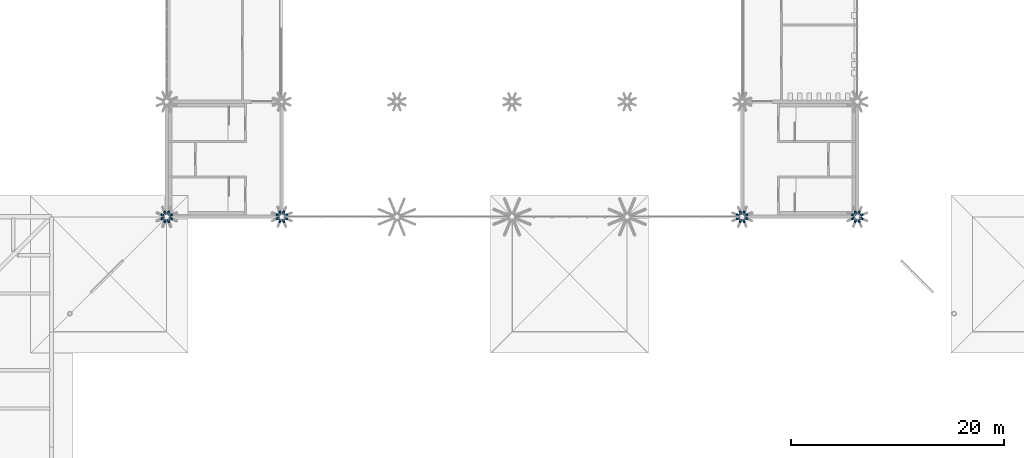
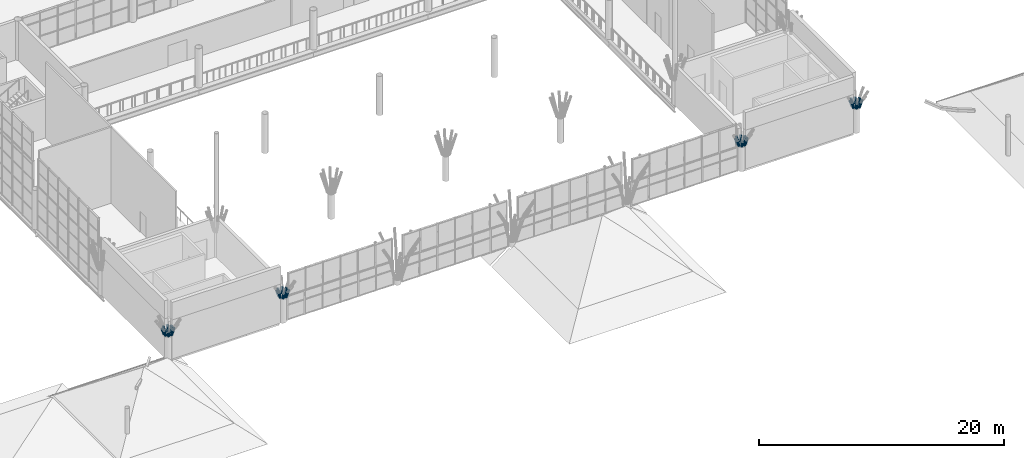
# One storey, part 43 of 95: 32 members.
"""IFC4 building model written with IfcOpenShell, lengths in metres."""

from ifc_helpers import new_model, si_unit, direction, frame, origin, origin_2d, place, context, subcontext, project, spatial, hollow_circle, extrude, material, material_profile, profile_set, type_object, element, save


model = new_model("IFC4")

# Units and contexts
model_context = context("Model", 3, precision=1e-05, world=origin(), true_north=direction((0.0, 1.0)))
body_context = subcontext(model_context, "Body", "Model", "MODEL_VIEW")
ifc_project = project(units=[si_unit("LENGTHUNIT", "METRE"), si_unit("AREAUNIT", "SQUARE_METRE"), si_unit("VOLUMEUNIT", "CUBIC_METRE"), si_unit("PLANEANGLEUNIT", "RADIAN"), si_unit("MASSUNIT", "GRAM", prefix="KILO")], contexts=[model_context])

# Site, building, storey
site_placement = place(None, origin())
site = spatial("IfcSite", under=ifc_project, at=site_placement, CompositionType="ELEMENT")
building_placement = place(site_placement, origin())
building = spatial("IfcBuilding", under=site, at=building_placement, Name="Magnolia Steps Interchange", CompositionType="ELEMENT")
storey_placement = place(building_placement, frame((0.0, 0.0, 4.800048828125)))
storey = spatial("IfcBuildingStorey", under=building, at=storey_placement, Name="L01", CompositionType="ELEMENT", Elevation=4.800048828125)

# Members
ifc_material = material(Name="Steel Q355B", Category="steel")
ifc_material_profile = material_profile(ifc_material, hollow_circle(Radius=0.12255859375, WallThickness=0.011962890625, at=origin_2d()), Name="CHS245x12")
ifc_profile_set = profile_set([ifc_material_profile], Name="Steel Q355B")
member_type = type_object("IfcMemberType", Name="Tree rib CHS245x12", PredefinedType="USERDEFINED", material=ifc_profile_set)
for number, where, z_axis, x_axis, name in (
    (1, (53.5048828125, 42.5263671875, 2.52001953125), (0.254757948463, 0.105403048965, 0.961243249632), (-0.3823083337, 0.92403481427, 0.0), "Tree rib TH01A"),
    (2, (53.326416015625, 42.704833984375, 2.52001953125), (0.105403048965, 0.254757948463, 0.961243249632), (-0.92403481427, 0.3823083337, 0.0), "Tree rib TH01A"),
    (3, (53.07373046875, 42.704833984375, 2.52001953125), (-0.105403048965, 0.254757948463, 0.961243249632), (-0.92403481427, -0.3823083337, 0.0), "Tree rib TH01A"),
    (4, (52.89501953125, 42.5263671875, 2.52001953125), (-0.254757948463, 0.105403048965, 0.961243249632), (-0.3823083337, -0.92403481427, 0.0), "Tree rib TH01A"),
    (5, (52.89501953125, 42.273681640625, 2.52001953125), (-0.254757948463, -0.105403048965, 0.961243249632), (0.3823083337, -0.92403481427, 0.0), "Tree rib TH01A"),
    (6, (53.07373046875, 42.09521484375, 2.52001953125), (-0.105403048965, -0.254757948463, 0.961243249632), (0.92403481427, -0.3823083337, 0.0), "Tree rib TH01A"),
    (7, (53.326416015625, 42.09521484375, 2.52001953125), (0.105403048965, -0.254757948463, 0.961243249632), (0.92403481427, 0.3823083337, 0.0), "Tree rib TH01A"),
    (8, (53.5048828125, 42.273681640625, 2.52001953125), (0.254757948463, -0.105403048965, 0.961243249632), (0.3823083337, 0.92403481427, 0.0), "Tree rib TH01A"),
    (9, (64.304931640625, 42.5263671875, 2.52001953125), (0.254757948463, 0.105403048965, 0.961243249632), (-0.3823083337, 0.92403481427, 0.0), "Tree rib TH02A"),
    (10, (64.126220703125, 42.704833984375, 2.52001953125), (0.105805463355, 0.254747000233, 0.961201940175), (-0.923512796177, 0.383567615026, 0.0), "Tree rib TH02A"),
    (11, (63.873779296875, 42.704833984375, 2.52001953125), (-0.105805463355, 0.254747000233, 0.961201940175), (-0.923512796177, -0.383567615026, 0.0), "Tree rib TH02A"),
    (12, (63.695068359375, 42.5263671875, 2.52001953125), (-0.254757948463, 0.105403048965, 0.961243249632), (-0.3823083337, -0.92403481427, 0.0), "Tree rib TH02A"),
    (13, (63.695068359375, 42.273681640625, 2.52001953125), (-0.254757948463, -0.105403048965, 0.961243249632), (0.3823083337, -0.92403481427, 0.0), "Tree rib TH02A"),
    (14, (63.873779296875, 42.09521484375, 2.52001953125), (-0.105805463355, -0.254747000233, 0.961201940175), (0.923512796177, -0.383567615026, 0.0), "Tree rib TH02A"),
    (15, (64.126220703125, 42.09521484375, 2.52001953125), (0.105805463355, -0.254747000233, 0.961201940175), (0.923512796177, 0.383567615026, 0.0), "Tree rib TH02A"),
    (16, (64.304931640625, 42.273681640625, 2.52001953125), (0.254757948463, -0.105403048965, 0.961243249632), (0.3823083337, 0.92403481427, 0.0), "Tree rib TH02A"),
    (17, (107.5048828125, 42.5263671875, 2.52001953125), (0.254757948463, 0.105403048965, 0.961243249632), (-0.3823083337, 0.92403481427, 0.0), "Tree rib TH06A"),
    (18, (107.326416015625, 42.704833984375, 2.52001953125), (0.105403048965, 0.254757948463, 0.961243249632), (-0.92403481427, 0.3823083337, 0.0), "Tree rib TH06A"),
    (19, (107.07373046875, 42.704833984375, 2.52001953125), (-0.105403048965, 0.254757948463, 0.961243249632), (-0.92403481427, -0.3823083337, 0.0), "Tree rib TH06A"),
    (20, (106.89501953125, 42.5263671875, 2.52001953125), (-0.254757948463, 0.105403048965, 0.961243249632), (-0.3823083337, -0.92403481427, 0.0), "Tree rib TH06A"),
    (21, (106.89501953125, 42.273681640625, 2.52001953125), (-0.254757948463, -0.105403048965, 0.961243249632), (0.3823083337, -0.92403481427, 0.0), "Tree rib TH06A"),
    (22, (107.07373046875, 42.09521484375, 2.52001953125), (-0.105403048965, -0.254757948463, 0.961243249632), (0.92403481427, -0.3823083337, 0.0), "Tree rib TH06A"),
    (23, (107.326416015625, 42.09521484375, 2.52001953125), (0.105403048965, -0.254757948463, 0.961243249632), (0.92403481427, 0.3823083337, 0.0), "Tree rib TH06A"),
    (24, (107.5048828125, 42.273681640625, 2.52001953125), (0.254757948463, -0.105403048965, 0.961243249632), (0.3823083337, 0.92403481427, 0.0), "Tree rib TH06A"),
    (25, (118.304931640625, 42.5263671875, 2.52001953125), (0.254757948463, 0.105403048965, 0.961243249632), (-0.3823083337, 0.92403481427, 0.0), "Tree rib TH07A"),
    (26, (118.126220703125, 42.704833984375, 2.52001953125), (0.105805463355, 0.254747000233, 0.961201940175), (-0.923512796177, 0.383567615026, 0.0), "Tree rib TH07A"),
    (27, (117.873779296875, 42.704833984375, 2.52001953125), (-0.105805463355, 0.254747000233, 0.961201940175), (-0.923512796177, -0.383567615026, 0.0), "Tree rib TH07A"),
    (28, (117.695068359375, 42.5263671875, 2.52001953125), (-0.254757948463, 0.105403048965, 0.961243249632), (-0.3823083337, -0.92403481427, 0.0), "Tree rib TH07A"),
    (29, (117.695068359375, 42.273681640625, 2.52001953125), (-0.254757948463, -0.105403048965, 0.961243249632), (0.3823083337, -0.92403481427, 0.0), "Tree rib TH07A"),
    (30, (117.873779296875, 42.09521484375, 2.52001953125), (-0.105805463355, -0.254747000233, 0.961201940175), (0.923512796177, -0.383567615026, 0.0), "Tree rib TH07A"),
    (31, (118.126220703125, 42.09521484375, 2.52001953125), (0.105805463355, -0.254747000233, 0.961201940175), (0.923512796177, 0.383567615026, 0.0), "Tree rib TH07A"),
    (32, (118.304931640625, 42.273681640625, 2.52001953125), (0.254757948463, -0.105403048965, 0.961243249632), (0.3823083337, 0.92403481427, 0.0), "Tree rib TH07A"),
):
    element("IfcMember", number, at=place(storey_placement, frame(where, z_axis=z_axis, x_axis=x_axis)), inside=storey, type_object=member_type, Name=name, ObjectType="TREE RIB", PredefinedType="USERDEFINED", context=body_context, shape_type="SweptSolid", body=[
        extrude(hollow_circle(Radius=0.12255859375, WallThickness=0.011962890625, at=origin_2d()), origin(), (0.0, 0.0, 1.0), 0.599853515625),
    ])

save(model, "model.ifc")
